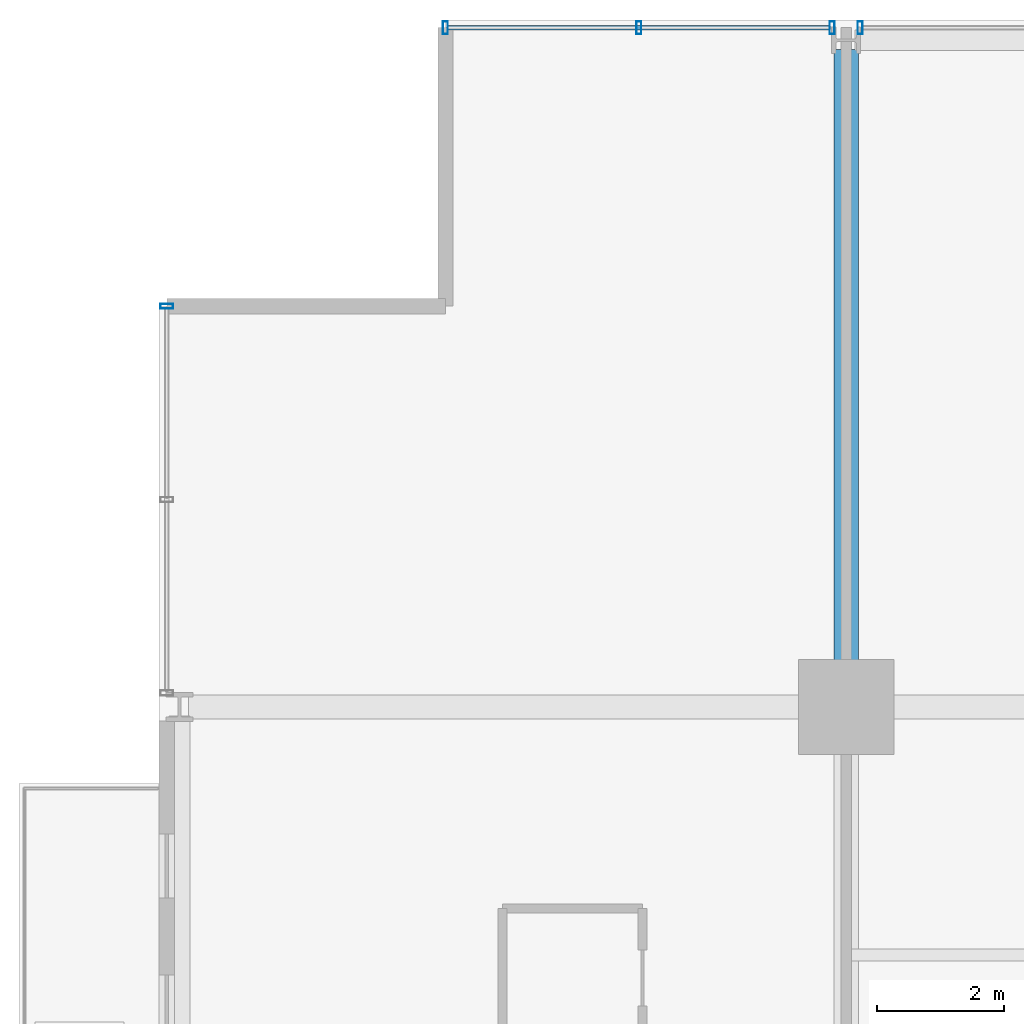
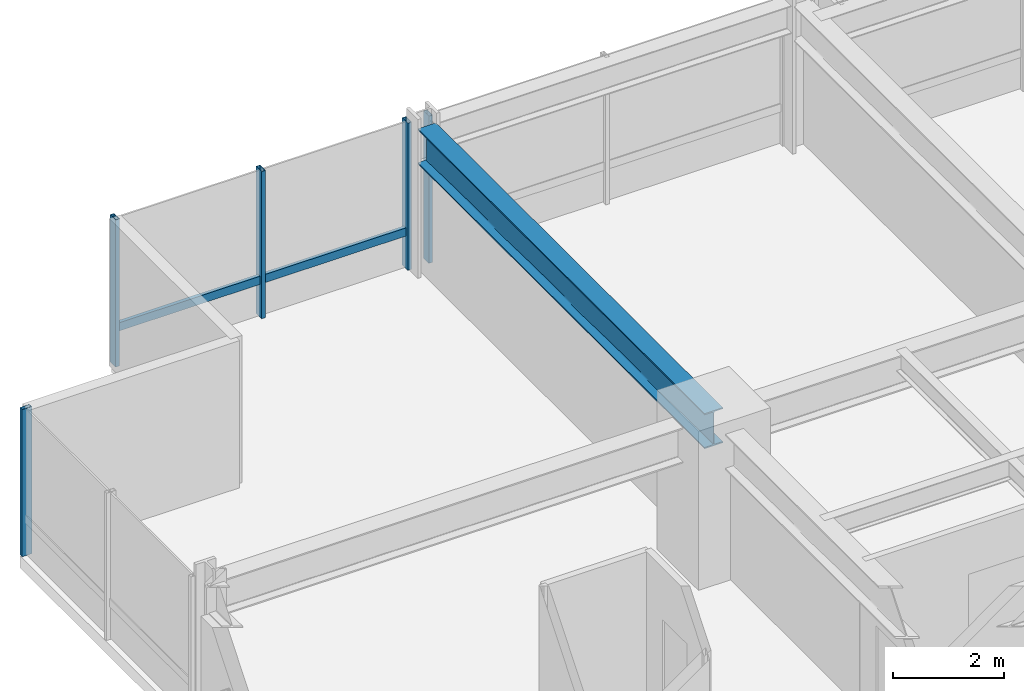
# One storey, part 20 of 34: 6 members, 1 beam, 3 elements without a shape of their own.
"""IFC4 building model written with IfcOpenShell, lengths in metres."""

from ifc_helpers import new_model, si_unit, direction, frame, origin, origin_2d, place, context, subcontext, project, spatial, hollow_rectangle, i_section, extrude, material, layer, layer_set, material_profile, profile_set, type_object, element, aggregate, save


model = new_model("IFC4")

# Units and contexts
model_context = context("Model", 3, precision=1e-05, world=origin(), true_north=direction((0.0, 1.0)))
body_context = subcontext(model_context, "Body", "Model", "MODEL_VIEW")
ifc_project = project(units=[si_unit("LENGTHUNIT", "METRE"), si_unit("AREAUNIT", "SQUARE_METRE"), si_unit("VOLUMEUNIT", "CUBIC_METRE"), si_unit("PLANEANGLEUNIT", "RADIAN"), si_unit("MASSUNIT", "GRAM", prefix="KILO")], contexts=[model_context])

# Site, building, storey
site_placement = place(None, origin())
site = spatial("IfcSite", under=ifc_project, at=site_placement, CompositionType="ELEMENT")
building_placement = place(site_placement, origin())
building = spatial("IfcBuilding", under=site, at=building_placement, Name="Drelvath Grand Hotel", CompositionType="ELEMENT")
storey_placement = place(building_placement, frame((0.0, 0.0, 109.300048828125)))
storey = spatial("IfcBuildingStorey", under=building, at=storey_placement, Name="L27", CompositionType="ELEMENT", Elevation=109.300048828125)

# Curtain wall, member
ifc_material_1 = material(Name="Champagne Bronze Anodised Aluminium Frame", Category="aluminium")
ifc_layer = layer(ifc_material_1, 0.199951171875)
ifc_layer_set = layer_set([ifc_layer], Name="Champagne Bronze Anodised Aluminium Frame")
curtain_wall_type = type_object("IfcCurtainWallType", Name="Stick Curtain Wall CW-03 Champagne Bronze Mid-Rise", PredefinedType="NOTDEFINED", material=ifc_layer_set)
curtain_wall_1_placement = place(storey_placement, origin())
curtain_wall_1 = element("IfcCurtainWall", 1, at=curtain_wall_1_placement, inside=storey, type_object=curtain_wall_type, Name="L27 CW-03 Curtain Wall CW03-L27-NW1", PredefinedType="NOTDEFINED")
ifc_material_profile_1 = material_profile(ifc_material_1, hollow_rectangle(XDim=0.074951171875, YDim=0.179931640625, WallThickness=0.0048828125, at=origin_2d()), Name="HSS180X75X5")
ifc_profile_set_1 = profile_set([ifc_material_profile_1], Name="Champagne Bronze Anodised Aluminium Frame")
member_type_1 = type_object("IfcMemberType", Name="Curtain Wall Horizontal Transom CW-03 HSS180X75X5", PredefinedType="USERDEFINED", material=ifc_profile_set_1)
member_1_placement = place(storey_placement, frame((-22.4599609375, 53.8798828125, 0.81005859375), z_axis=(1.0, 0.0, 0.0), x_axis=(0.0, 1.0, 0.0)))
member_1 = element("IfcMember", 2, at=member_1_placement, type_object=member_type_1, Name="CW03-L27-NW1 Sill Transom", ObjectType="TRANSOM", PredefinedType="USERDEFINED", context=body_context, shape_type="SweptSolid", body=[
    extrude(hollow_rectangle(XDim=0.074951171875, YDim=0.179931640625, WallThickness=0.0048828125, at=origin_2d()), origin(), (0.0, 0.0, 1.0), 6.000244140625),
])

curtain_wall_2_placement = place(storey_placement, origin())
curtain_wall_2 = element("IfcCurtainWall", 3, at=curtain_wall_2_placement, inside=storey, type_object=curtain_wall_type, Name="L27 CW-03 Curtain Wall CW03-L27-WN3", PredefinedType="NOTDEFINED")
ifc_material_profile_2 = material_profile(ifc_material_1, hollow_rectangle(XDim=0.080078125, YDim=0.199951171875, WallThickness=0.0048828125, at=origin_2d()), Name="HSS200X80X5")
ifc_profile_set_2 = profile_set([ifc_material_profile_2], Name="Champagne Bronze Anodised Aluminium Frame")
member_type_2 = type_object("IfcMemberType", Name="Curtain Wall Vertical Mullion CW-03 HSS200X80X5", PredefinedType="MULLION", material=ifc_profile_set_2)
member_2_placement = place(storey_placement, frame((-26.8798828125, 49.5, 0.0), z_axis=(0.0, 0.0, 1.0), x_axis=(0.0, 1.0, 0.0)))
member_2 = element("IfcMember", 4, at=member_2_placement, type_object=member_type_2, Name="CW03-L27-WN3 Mullion 3", PredefinedType="MULLION", context=body_context, shape_type="SweptSolid", body=[
    extrude(hollow_rectangle(XDim=0.080078125, YDim=0.199951171875, WallThickness=0.0048828125, at=origin_2d()), origin(), (0.0, 0.0, 1.0), 3.239990234375),
])
aggregate(curtain_wall_2, [member_2])

# Member
member_3_placement = place(storey_placement, frame((-22.5, 53.8798828125, 0.0), z_axis=(0.0, 0.0, 1.0), x_axis=(1.0, 0.0, 0.0)))
member_3 = element("IfcMember", 5, at=member_3_placement, type_object=member_type_2, Name="CW03-L27-NW1 Mullion 1", PredefinedType="MULLION", context=body_context, shape_type="SweptSolid", body=[
    extrude(hollow_rectangle(XDim=0.080078125, YDim=0.199951171875, WallThickness=0.0048828125, at=origin_2d()), origin(), (0.0, 0.0, 1.0), 3.239990234375),
])

member_4_placement = place(storey_placement, frame((-19.459716796875, 53.8798828125, 0.0), z_axis=(0.0, 0.0, 1.0), x_axis=(1.0, 0.0, 0.0)))
member_4 = element("IfcMember", 6, at=member_4_placement, type_object=member_type_2, Name="CW03-L27-NW1 Mullion 2", PredefinedType="MULLION", context=body_context, shape_type="SweptSolid", body=[
    extrude(hollow_rectangle(XDim=0.080078125, YDim=0.199951171875, WallThickness=0.0048828125, at=origin_2d()), origin(), (0.0, 0.0, 1.0), 3.239990234375),
])

member_5_placement = place(storey_placement, frame((-16.419677734375, 53.8798828125, 0.0), z_axis=(0.0, 0.0, 1.0), x_axis=(1.0, 0.0, 0.0)))
member_5 = element("IfcMember", 7, at=member_5_placement, type_object=member_type_2, Name="CW03-L27-NW1 Mullion 3", PredefinedType="MULLION", context=body_context, shape_type="SweptSolid", body=[
    extrude(hollow_rectangle(XDim=0.080078125, YDim=0.199951171875, WallThickness=0.0048828125, at=origin_2d()), origin(), (0.0, 0.0, 1.0), 3.239990234375),
])

aggregate(curtain_wall_1, [member_3, member_4, member_5, member_1])

# Curtain wall, member
curtain_wall_3_placement = place(storey_placement, origin())
curtain_wall_3 = element("IfcCurtainWall", 8, at=curtain_wall_3_placement, inside=storey, type_object=curtain_wall_type, Name="L27 CW-03 Curtain Wall CW03-L27-NW2", PredefinedType="NOTDEFINED")
member_6_placement = place(storey_placement, frame((-15.98046875, 53.8798828125, 0.0), z_axis=(0.0, 0.0, 1.0), x_axis=(1.0, 0.0, 0.0)))
member_6 = element("IfcMember", 9, at=member_6_placement, type_object=member_type_2, Name="CW03-L27-NW2 Mullion 1", PredefinedType="MULLION", context=body_context, shape_type="SweptSolid", body=[
    extrude(hollow_rectangle(XDim=0.080078125, YDim=0.199951171875, WallThickness=0.0048828125, at=origin_2d()), origin(), (0.0, 0.0, 1.0), 3.239990234375),
])
aggregate(curtain_wall_3, [member_6])

# Beam
ifc_material_2 = material(Name="Steel ASTM A992 Gr 50", Category="steel")
ifc_material_profile_3 = material_profile(ifc_material_2, i_section(OverallWidth=0.380615234375, OverallDepth=0.773193359375, WebThickness=0.0166015625, FlangeThickness=0.027099609375, FilletRadius=0.02490234375, at=origin_2d()), Name="W30X173")
ifc_profile_set_3 = profile_set([ifc_material_profile_3], Name="Steel ASTM A992 Gr 50")
beam_type = type_object("IfcBeamType", Name="Primary Floor Girder W30X173", PredefinedType="BEAM", material=ifc_profile_set_3)
beam_placement = place(storey_placement, frame((-16.199951171875, 43.199951171875, 2.853271484375), z_axis=(0.0, 1.0, 0.0), x_axis=(-1.0, 0.0, 0.0)))
element("IfcBeam", 10, at=beam_placement, inside=storey, type_object=beam_type, Name="L27 North Grid Girder 3", PredefinedType="BEAM", context=body_context, shape_type="SweptSolid", body=[
    extrude(i_section(OverallWidth=0.380615234375, OverallDepth=0.773193359375, WebThickness=0.0166015625, FlangeThickness=0.027099609375, FilletRadius=0.02490234375, at=origin_2d()), origin(), (0.0, 0.0, 1.0), 10.340087890625),
])

save(model, "model.ifc")
